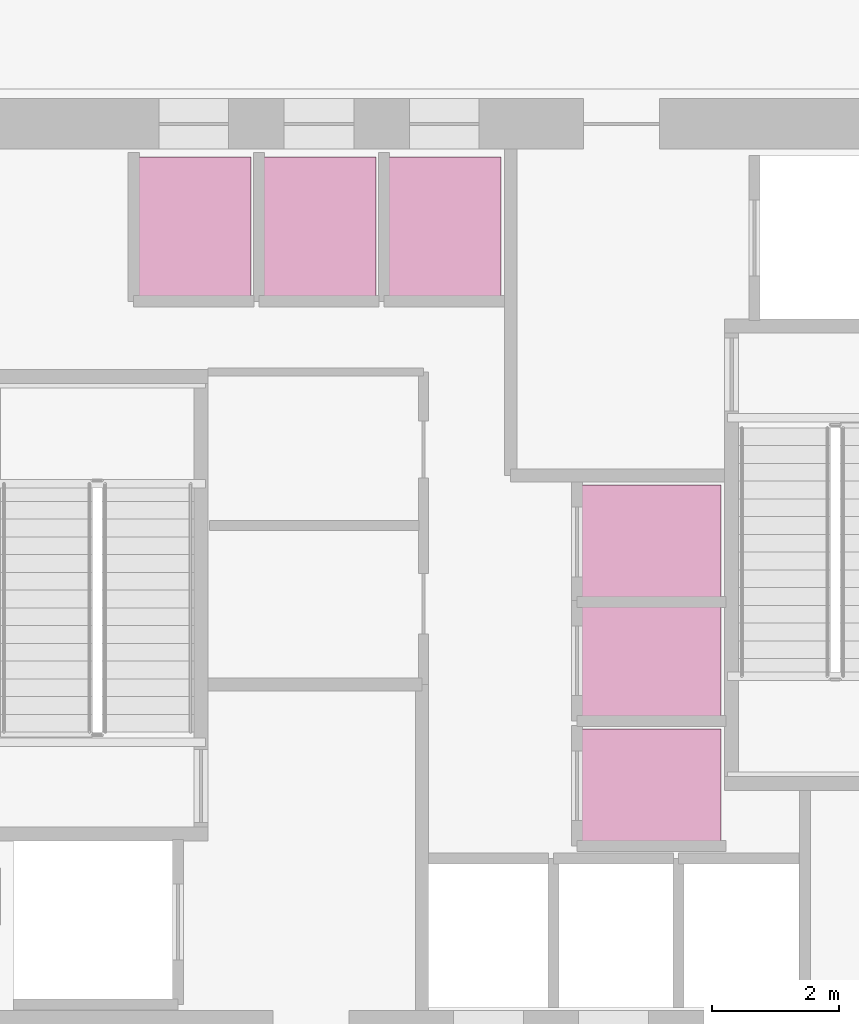
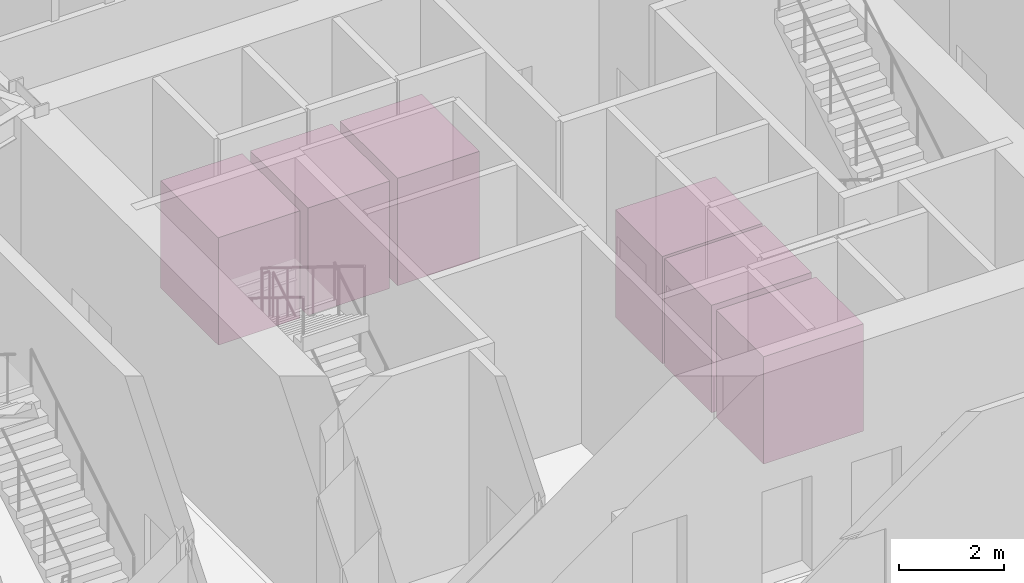
# One storey, part 26 of 26: 6 transport elements.
"""IFC4 building model written with IfcOpenShell, lengths in metres."""

from ifc_helpers import new_model, si_unit, direction, frame, origin, origin_2d, place, context, subcontext, project, spatial, rectangle, extrude, material, type_object, element, save


model = new_model("IFC4")

# Units and contexts
model_context = context("Model", 3, precision=1e-05, world=origin(), true_north=direction((0.0, 1.0)))
body_context = subcontext(model_context, "Body", "Model", "MODEL_VIEW")
ifc_project = project(units=[si_unit("LENGTHUNIT", "METRE"), si_unit("AREAUNIT", "SQUARE_METRE"), si_unit("VOLUMEUNIT", "CUBIC_METRE"), si_unit("PLANEANGLEUNIT", "RADIAN"), si_unit("MASSUNIT", "GRAM", prefix="KILO")], contexts=[model_context])

# Site, building, storey
site_placement = place(None, origin())
site = spatial("IfcSite", under=ifc_project, at=site_placement, CompositionType="ELEMENT")
building_placement = place(site_placement, origin())
building = spatial("IfcBuilding", under=site, at=building_placement, Name="Kranzbogen Civic Tower", CompositionType="ELEMENT")
storey_placement = place(building_placement, origin())
storey = spatial("IfcBuildingStorey", under=building, at=storey_placement, Name="L00", CompositionType="ELEMENT", Elevation=0.0)

# Transport elements
ifc_material = material(Name="Pale Anodised Aluminium", Category="aluminium")
transport_element_type = type_object("IfcTransportElementType", Name="High-Speed Passenger Lift Car 1800x2200", PredefinedType="ELEVATOR", material=ifc_material)
for number, where, z_axis, x_axis, name in (
    (1, (20.699951171875, 30.574951171875, 0.050048828125), (0.0, 0.0, 1.0), (1.0, 0.0, 0.0), "Elevator MP-01"),
    (2, (22.675048828125, 30.574951171875, 0.050048828125), (0.0, 0.0, 1.0), (1.0, 0.0, 0.0), "Elevator MP-02"),
    (3, (24.64990234375, 30.574951171875, 0.050048828125), (0.0, 0.0, 1.0), (1.0, 0.0, 0.0), "Elevator MP-03"),
):
    element("IfcTransportElement", number, at=place(storey_placement, frame(where, z_axis=z_axis, x_axis=x_axis)), inside=storey, type_object=transport_element_type, Name=name, PredefinedType="ELEVATOR", context=body_context, shape_type="SweptSolid", body=[
        extrude(rectangle(XDim=1.800048828125, YDim=2.199951171875, at=origin_2d()), origin(), (0.0, 0.0, 1.0), 2.5),
    ])
for number, where, z_axis, x_axis, name in (
    (4, (27.925048828125, 21.75, 0.050048828125), (0.0, 0.0, 1.0), (1.0, 0.0, 0.0), "Elevator HP-01"),
    (5, (27.925048828125, 23.72509765625, 0.050048828125), (0.0, 0.0, 1.0), (1.0, 0.0, 0.0), "Elevator HP-02"),
    (6, (27.925048828125, 25.60009765625, 0.050048828125), (0.0, 0.0, 1.0), (1.0, 0.0, 0.0), "Elevator HP-03"),
):
    element("IfcTransportElement", number, at=place(storey_placement, frame(where, z_axis=z_axis, x_axis=x_axis)), inside=storey, type_object=transport_element_type, Name=name, PredefinedType="ELEVATOR", context=body_context, shape_type="SweptSolid", body=[
        extrude(rectangle(XDim=2.199951171875, YDim=1.800048828125, at=origin_2d()), origin(), (0.0, 0.0, 1.0), 2.5),
    ])

save(model, "model.ifc")
